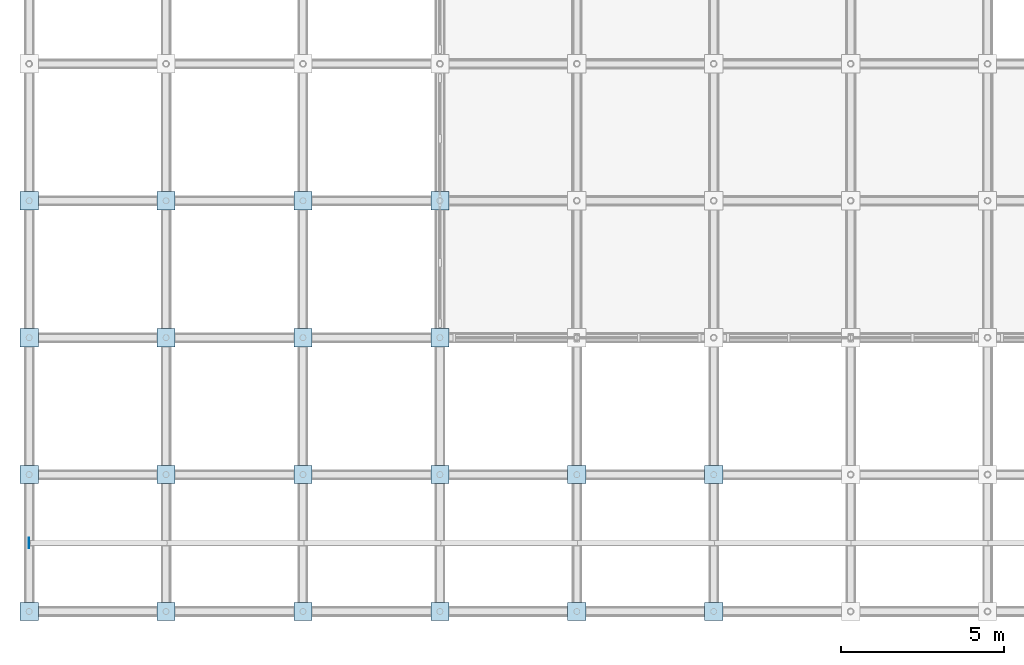
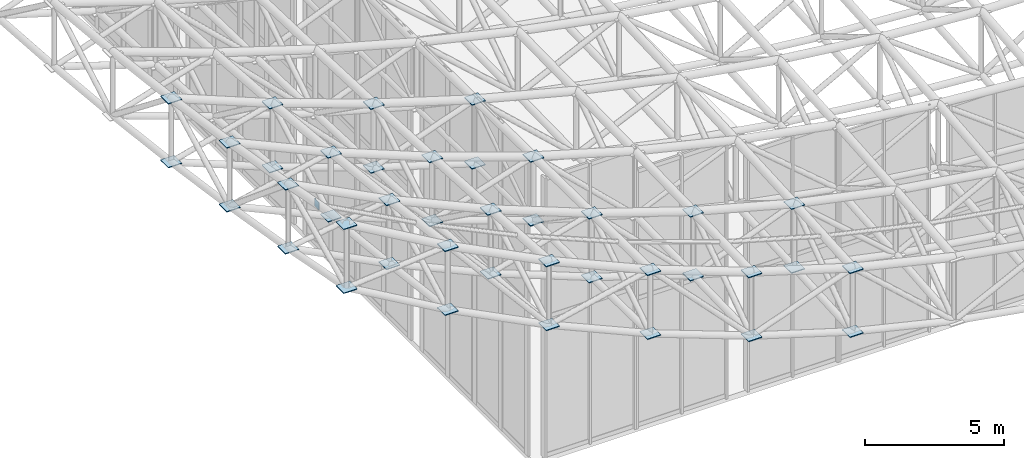
# One storey, part 66 of 93: 41 plates.
"""IFC4 building model written with IfcOpenShell, lengths in metres."""

from ifc_helpers import new_model, si_unit, direction, frame, origin, origin_2d, place, context, subcontext, project, spatial, rectangle, extrude, material, layer, layer_set, type_object, element, save


model = new_model("IFC4")

# Units and contexts
model_context = context("Model", 3, precision=1e-05, world=origin(), true_north=direction((0.0, 1.0)))
body_context = subcontext(model_context, "Body", "Model", "MODEL_VIEW")
ifc_project = project(units=[si_unit("LENGTHUNIT", "METRE"), si_unit("AREAUNIT", "SQUARE_METRE"), si_unit("VOLUMEUNIT", "CUBIC_METRE"), si_unit("PLANEANGLEUNIT", "RADIAN"), si_unit("MASSUNIT", "GRAM", prefix="KILO")], contexts=[model_context])

# Site, building, storey
site_placement = place(None, origin())
site = spatial("IfcSite", under=ifc_project, at=site_placement, CompositionType="ELEMENT")
building_placement = place(site_placement, origin())
building = spatial("IfcBuilding", under=site, at=building_placement, Name="Cumbredor Promenade Congress Hotel", CompositionType="ELEMENT")
storey_placement = place(building_placement, frame((0.0, 0.0, 21.840087890625)))
storey = spatial("IfcBuildingStorey", under=building, at=storey_placement, Name="L06", CompositionType="ELEMENT", Elevation=21.840087890625)

# Plates
ifc_material = material(Name="Steel ASTM A572 Grade 50", Category="steel")
ifc_layer_1 = layer(ifc_material, 0.02001953125, Name="Steel ASTM A572 Grade 50", Category="steel")
ifc_layer_set_1 = layer_set([ifc_layer_1], Name="Steel ASTM A572 Grade 50")
plate_type_1 = type_object("IfcPlateType", Name="Hollow Section End Cap Plate CP-05", PredefinedType="USERDEFINED", material=ifc_layer_set_1)
plate_placement = place(storey_placement, frame((-4.20703125, 2.10009765625, 19.31640625), z_axis=(0.0, 0.0, 1.0), x_axis=(1.0, 0.0, 0.0)))
element("IfcPlate", 1, at=plate_placement, inside=storey, type_object=plate_type_1, Name="Plenary Congress Hall Roof Eave Purlin 1.1 Start Cap Plate", ObjectType="CAP PLATE", PredefinedType="USERDEFINED", context=body_context, shape_type="SweptSolid", body=[
    extrude(rectangle(XDim=0.02001953125, YDim=0.320068359375, at=origin_2d()), origin(), (0.0, 0.0, 1.0), 0.320068359375),
])
ifc_layer_2 = layer(ifc_material, 0.035888671875, Name="Steel ASTM A572 Grade 50", Category="steel")
ifc_layer_set_2 = layer_set([ifc_layer_2], Name="Steel ASTM A572 Grade 50")
plate_type_2 = type_object("IfcPlateType", Name="Space Frame Node Assembly ND-01", PredefinedType="USERDEFINED", material=ifc_layer_set_2)
for number, where, z_axis, x_axis, name in (
    (2, (-4.199951171875, 0.0, 19.88134765625), (0.0, 0.0, 1.0), (1.0, 0.0, 0.0), "Plenary Congress Hall Space Frame Top Node 1.1"),
    (3, (-4.199951171875, 0.0, 17.08154296875), (0.0, 0.0, 1.0), (1.0, 0.0, 0.0), "Plenary Congress Hall Space Frame Bottom Node 1.1"),
    (4, (-4.199951171875, 4.199951171875, 19.0673828125), (0.0, 0.0, 1.0), (1.0, 0.0, 0.0), "Plenary Congress Hall Space Frame Top Node 1.2"),
    (5, (-4.199951171875, 4.199951171875, 16.267578125), (0.0, 0.0, 1.0), (1.0, 0.0, 0.0), "Plenary Congress Hall Space Frame Bottom Node 1.2"),
    (6, (-4.199951171875, 8.39990234375, 18.35791015625), (0.0, 0.0, 1.0), (1.0, 0.0, 0.0), "Plenary Congress Hall Space Frame Top Node 1.3"),
    (7, (-4.199951171875, 8.39990234375, 15.55810546875), (0.0, 0.0, 1.0), (1.0, 0.0, 0.0), "Plenary Congress Hall Space Frame Bottom Node 1.3"),
    (8, (-4.199951171875, 12.60009765625, 17.7490234375), (0.0, 0.0, 1.0), (1.0, 0.0, 0.0), "Plenary Congress Hall Space Frame Top Node 1.4"),
    (9, (-4.199951171875, 12.60009765625, 14.94921875), (0.0, 0.0, 1.0), (1.0, 0.0, 0.0), "Plenary Congress Hall Space Frame Bottom Node 1.4"),
    (10, (0.0, 0.0, 17.44677734375), (0.0, 0.0, 1.0), (1.0, 0.0, 0.0), "Plenary Congress Hall Space Frame Top Node 2.1"),
    (11, (0.0, 0.0, 14.646484375), (0.0, 0.0, 1.0), (1.0, 0.0, 0.0), "Plenary Congress Hall Space Frame Bottom Node 2.1"),
    (12, (0.0, 4.199951171875, 16.91064453125), (0.0, 0.0, 1.0), (1.0, 0.0, 0.0), "Plenary Congress Hall Space Frame Top Node 2.2"),
    (13, (0.0, 4.199951171875, 14.11083984375), (0.0, 0.0, 1.0), (1.0, 0.0, 0.0), "Plenary Congress Hall Space Frame Bottom Node 2.2"),
    (14, (0.0, 8.39990234375, 16.45068359375), (0.0, 0.0, 1.0), (1.0, 0.0, 0.0), "Plenary Congress Hall Space Frame Top Node 2.3"),
    (15, (0.0, 8.39990234375, 13.650390625), (0.0, 0.0, 1.0), (1.0, 0.0, 0.0), "Plenary Congress Hall Space Frame Bottom Node 2.3"),
    (16, (0.0, 12.60009765625, 16.05517578125), (0.0, 0.0, 1.0), (1.0, 0.0, 0.0), "Plenary Congress Hall Space Frame Top Node 2.4"),
    (17, (0.0, 12.60009765625, 13.25537109375), (0.0, 0.0, 1.0), (1.0, 0.0, 0.0), "Plenary Congress Hall Space Frame Bottom Node 2.4"),
    (18, (4.199951171875, 0.0, 15.30810546875), (0.0, 0.0, 1.0), (1.0, 0.0, 0.0), "Plenary Congress Hall Space Frame Top Node 3.1"),
    (19, (4.199951171875, 0.0, 12.5078125), (0.0, 0.0, 1.0), (1.0, 0.0, 0.0), "Plenary Congress Hall Space Frame Bottom Node 3.1"),
    (20, (4.199951171875, 4.199951171875, 15.0224609375), (0.0, 0.0, 1.0), (1.0, 0.0, 0.0), "Plenary Congress Hall Space Frame Top Node 3.2"),
    (21, (4.199951171875, 4.199951171875, 12.22216796875), (0.0, 0.0, 1.0), (1.0, 0.0, 0.0), "Plenary Congress Hall Space Frame Bottom Node 3.2"),
    (22, (4.199951171875, 8.39990234375, 14.77880859375), (0.0, 0.0, 1.0), (1.0, 0.0, 0.0), "Plenary Congress Hall Space Frame Top Node 3.3"),
    (23, (4.199951171875, 8.39990234375, 11.97900390625), (0.0, 0.0, 1.0), (1.0, 0.0, 0.0), "Plenary Congress Hall Space Frame Bottom Node 3.3"),
    (24, (4.199951171875, 12.60009765625, 14.56982421875), (0.0, 0.0, 1.0), (1.0, 0.0, 0.0), "Plenary Congress Hall Space Frame Top Node 3.4"),
    (25, (4.199951171875, 12.60009765625, 11.76953125), (0.0, 0.0, 1.0), (1.0, 0.0, 0.0), "Plenary Congress Hall Space Frame Bottom Node 3.4"),
    (26, (8.39990234375, 0.0, 13.4541015625), (0.0, 0.0, 1.0), (1.0, 0.0, 0.0), "Plenary Congress Hall Space Frame Top Node 4.1"),
    (27, (8.39990234375, 0.0, 10.654296875), (0.0, 0.0, 1.0), (1.0, 0.0, 0.0), "Plenary Congress Hall Space Frame Bottom Node 4.1"),
    (28, (8.39990234375, 4.199951171875, 13.38525390625), (0.0, 0.0, 1.0), (1.0, 0.0, 0.0), "Plenary Congress Hall Space Frame Top Node 4.2"),
    (29, (8.39990234375, 4.199951171875, 10.58544921875), (0.0, 0.0, 1.0), (1.0, 0.0, 0.0), "Plenary Congress Hall Space Frame Bottom Node 4.2"),
    (30, (8.39990234375, 8.39990234375, 13.330078125), (0.0, 0.0, 1.0), (1.0, 0.0, 0.0), "Plenary Congress Hall Space Frame Top Node 4.3"),
    (31, (8.39990234375, 8.39990234375, 10.52978515625), (0.0, 0.0, 1.0), (1.0, 0.0, 0.0), "Plenary Congress Hall Space Frame Bottom Node 4.3"),
    (32, (8.39990234375, 12.60009765625, 13.2822265625), (0.0, 0.0, 1.0), (1.0, 0.0, 0.0), "Plenary Congress Hall Space Frame Top Node 4.4"),
    (33, (8.39990234375, 12.60009765625, 10.48193359375), (0.0, 0.0, 1.0), (1.0, 0.0, 0.0), "Plenary Congress Hall Space Frame Bottom Node 4.4"),
    (34, (12.60009765625, 0.0, 11.88525390625), (0.0, 0.0, 1.0), (1.0, 0.0, 0.0), "Plenary Congress Hall Space Frame Top Node 5.1"),
    (35, (12.60009765625, 0.0, 9.0849609375), (0.0, 0.0, 1.0), (1.0, 0.0, 0.0), "Plenary Congress Hall Space Frame Bottom Node 5.1"),
    (36, (12.60009765625, 4.199951171875, 12.0), (0.0, 0.0, 1.0), (1.0, 0.0, 0.0), "Plenary Congress Hall Space Frame Top Node 5.2"),
    (37, (12.60009765625, 4.199951171875, 9.19970703125), (0.0, 0.0, 1.0), (1.0, 0.0, 0.0), "Plenary Congress Hall Space Frame Bottom Node 5.2"),
    (38, (16.800048828125, 0.0, 10.6015625), (0.0, 0.0, 1.0), (1.0, 0.0, 0.0), "Plenary Congress Hall Space Frame Top Node 6.1"),
    (39, (16.800048828125, 0.0, 7.80126953125), (0.0, 0.0, 1.0), (1.0, 0.0, 0.0), "Plenary Congress Hall Space Frame Bottom Node 6.1"),
    (40, (16.800048828125, 4.199951171875, 10.8662109375), (0.0, 0.0, 1.0), (1.0, 0.0, 0.0), "Plenary Congress Hall Space Frame Top Node 6.2"),
    (41, (16.800048828125, 4.199951171875, 8.06591796875), (0.0, 0.0, 1.0), (1.0, 0.0, 0.0), "Plenary Congress Hall Space Frame Bottom Node 6.2"),
):
    element("IfcPlate", number, at=place(storey_placement, frame(where, z_axis=z_axis, x_axis=x_axis)), inside=storey, type_object=plate_type_2, Name=name, ObjectType="GUSSET PLATE", PredefinedType="USERDEFINED", context=body_context, shape_type="SweptSolid", body=[
        extrude(rectangle(XDim=0.56005859375, YDim=0.56005859375, at=origin_2d()), origin(), (0.0, 0.0, 1.0), 0.035888671875),
    ])

save(model, "model.ifc")
